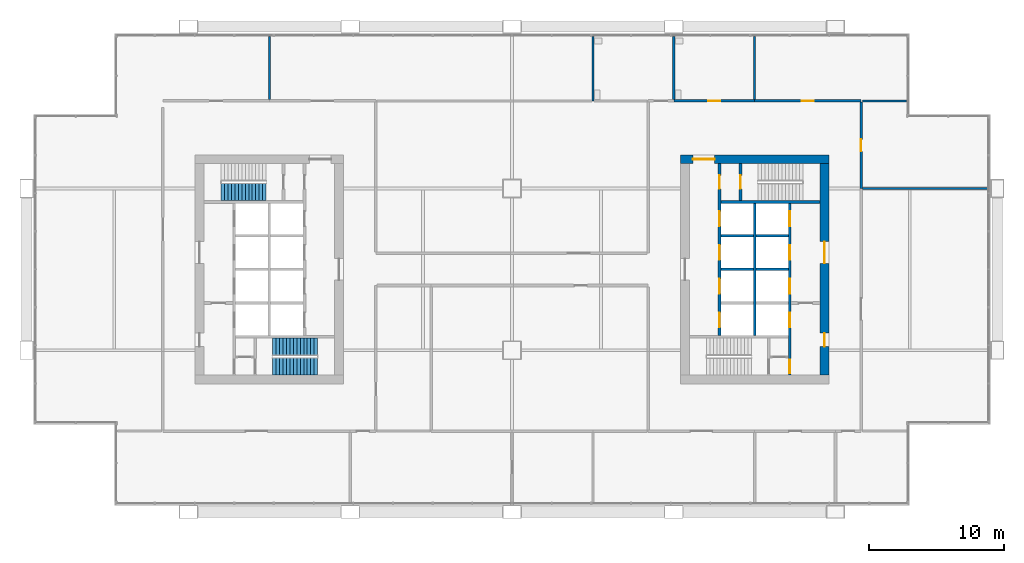
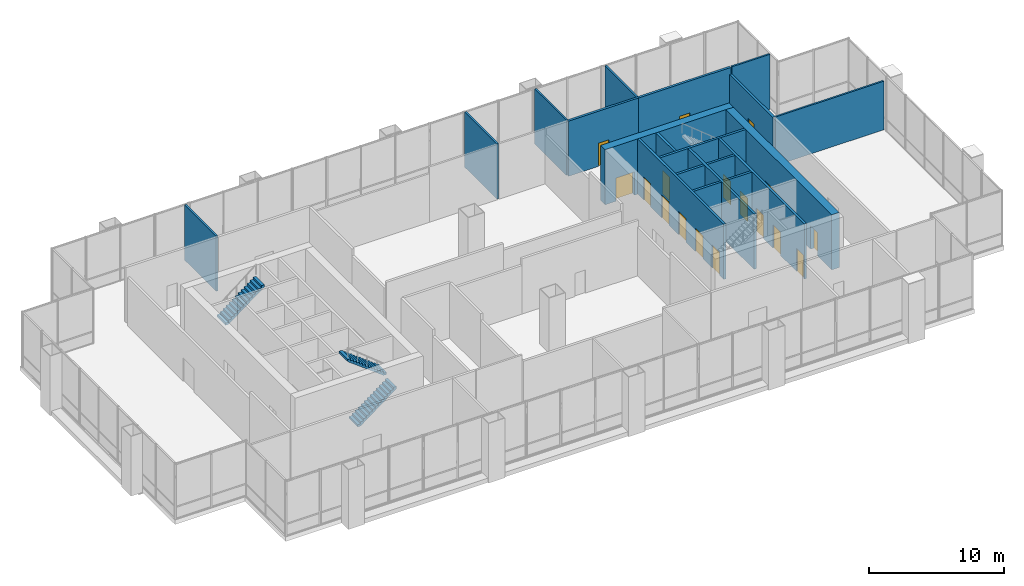
# One storey, part 17 of 20: 20 walls, 17 doors, 3 stair flights, 17 openings, 2 elements without a shape of their own.
"""IFC4 building model written with IfcOpenShell, lengths in metres."""

from ifc_helpers import new_model, si_unit, direction, frame, frame_2d, origin, place, context, subcontext, project, spatial, polyline, rectangle, outline, extrude, material, layer, layer_set, type_object, element, fill, aggregate, save


model = new_model("IFC4")

# Units and contexts
model_context = context("Model", 3, precision=1e-05, world=origin(), true_north=direction((0.0, 1.0)))
body_context = subcontext(model_context, "Body", "Model", "MODEL_VIEW")
ifc_project = project(units=[si_unit("LENGTHUNIT", "METRE"), si_unit("AREAUNIT", "SQUARE_METRE"), si_unit("VOLUMEUNIT", "CUBIC_METRE"), si_unit("PLANEANGLEUNIT", "RADIAN"), si_unit("MASSUNIT", "GRAM", prefix="KILO")], contexts=[model_context])

# Site, building, storey
site_placement = place(None, origin())
site = spatial("IfcSite", under=ifc_project, at=site_placement, CompositionType="ELEMENT")
building_placement = place(site_placement, origin())
building = spatial("IfcBuilding", under=site, at=building_placement, Name="Kitamizu Gate Tower and Museum", CompositionType="ELEMENT")
storey_placement = place(building_placement, frame((0.0, 0.0, 148.35009765625)))
storey = spatial("IfcBuildingStorey", under=building, at=storey_placement, Name="L39", CompositionType="ELEMENT", Elevation=148.35009765625)

# Wall, opening, door
ifc_material_1 = material(Name="Concrete Fc60", Category="concrete")
ifc_layer_1 = layer(ifc_material_1, 0.64990234375)
ifc_layer_set_1 = layer_set([ifc_layer_1], Name="Concrete Fc60")
wall_type_1 = type_object("IfcWallType", Name="Core wall 650", PredefinedType="SHEAR", material=ifc_layer_set_1)
wall_1_placement = place(storey_placement, frame((59.5, 38.175048828125, 0.0), z_axis=(0.0, 0.0, 1.0), x_axis=(-1.0, 0.0, 0.0)))
wall_1 = element("IfcWall", 1, at=wall_1_placement, inside=storey, type_object=wall_type_1, Name="Core wall EN", PredefinedType="SHEAR", context=body_context, shape_type="SweptSolid", body=[
    extrude(rectangle(XDim=11.0, YDim=0.64990234375, at=frame_2d((5.5, 0.0))), origin(), (0.0, 0.0, 1.0), 5.0),
])
opening_1_placement = place(wall_1_placement, frame((8.47509765625, 0.0, 0.0)))
opening_1 = element("IfcOpeningElement", 2, at=opening_1_placement, cuts=wall_1, Name="Opening L39-036", PredefinedType="OPENING", context=body_context, shape_type="SweptSolid", body=[
    extrude(rectangle(XDim=1.60009765625, YDim=2.10009765625, at=frame_2d((0.800048828125, 1.050048828125))), frame((0.0, 0.3349609375, 0.0), z_axis=(0.0, -1.0, 0.0), x_axis=(1.0, 0.0, 0.0)), (0.0, 0.0, 1.0), 0.669921875),
])
ifc_material_2 = material(Name="Timber door set", Category="wood")
door_type_1 = type_object("IfcDoorType", Name="Entrance door 1600", OperationType="DOUBLE_DOOR_SINGLE_SWING", PredefinedType="DOOR", material=ifc_material_2)
door_1_placement = place(opening_1_placement, origin())
door_1 = element("IfcDoor", 3, at=door_1_placement, inside=storey, type_object=door_type_1, Name="Lobby door L39-036", OperationType="DOUBLE_DOOR_SINGLE_SWING", OverallHeight=2.10009765625, OverallWidth=1.60009765625, PredefinedType="DOOR", context=body_context, shape_type="SweptSolid", body=[
    extrude(rectangle(XDim=1.60009765625, YDim=2.10009765625, at=frame_2d((0.800048828125, 1.050048828125))), frame((0.0, 0.02490234375, 0.0), z_axis=(0.0, -1.0, 0.0), x_axis=(1.0, 0.0, 0.0)), (0.0, 0.0, 1.0), 0.050048828125),
])
fill(opening_1, door_1)

# Wall, openings, doors
wall_2_placement = place(storey_placement, frame((59.175048828125, 22.14990234375, 0.0), z_axis=(0.0, 0.0, 1.0), x_axis=(0.0, 1.0, 0.0)))
wall_2 = element("IfcWall", 4, at=wall_2_placement, inside=storey, type_object=wall_type_1, Name="Core wall EOUT", PredefinedType="SHEAR", context=body_context, shape_type="SweptSolid", body=[
    extrude(rectangle(XDim=15.7001953125, YDim=0.64990234375, at=frame_2d((7.85009765625, 0.0))), origin(), (0.0, 0.0, 1.0), 5.0),
])
opening_2_placement = place(wall_2_placement, frame((8.300048828125, 0.0, 0.0)))
opening_2 = element("IfcOpeningElement", 5, at=opening_2_placement, cuts=wall_2, Name="Opening L39-034", PredefinedType="OPENING", context=body_context, shape_type="SweptSolid", body=[
    extrude(rectangle(XDim=1.60009765625, YDim=2.10009765625, at=frame_2d((0.800048828125, 1.050048828125))), frame((0.0, 0.3349609375, 0.0), z_axis=(0.0, -1.0, 0.0), x_axis=(1.0, 0.0, 0.0)), (0.0, 0.0, 1.0), 0.669921875),
])
opening_3_placement = place(wall_2_placement, frame((2.125, 0.0, 0.0)))
opening_3 = element("IfcOpeningElement", 6, at=opening_3_placement, cuts=wall_2, Name="Opening L39-035", PredefinedType="OPENING", context=body_context, shape_type="SweptSolid", body=[
    extrude(rectangle(XDim=1.0, YDim=2.10009765625, at=frame_2d((0.5, 1.050048828125))), frame((0.0, 0.3349609375, 0.0), z_axis=(0.0, -1.0, 0.0), x_axis=(1.0, 0.0, 0.0)), (0.0, 0.0, 1.0), 0.669921875),
])
door_2_placement = place(opening_2_placement, origin())
door_2 = element("IfcDoor", 7, at=door_2_placement, inside=storey, type_object=door_type_1, Name="Lobby door L39-034", OperationType="DOUBLE_DOOR_SINGLE_SWING", OverallHeight=2.10009765625, OverallWidth=1.60009765625, PredefinedType="DOOR", context=body_context, shape_type="SweptSolid", body=[
    extrude(rectangle(XDim=1.60009765625, YDim=2.10009765625, at=frame_2d((0.800048828125, 1.050048828125))), frame((0.0, 0.02490234375, 0.0), z_axis=(0.0, -1.0, 0.0), x_axis=(1.0, 0.0, 0.0)), (0.0, 0.0, 1.0), 0.050048828125),
])
fill(opening_2, door_2)
ifc_material_3 = material(Name="Hollow metal door set")
door_type_2 = type_object("IfcDoorType", Name="Fire door 1000", OperationType="NOTDEFINED", PredefinedType="DOOR", material=ifc_material_3)
door_3_placement = place(opening_3_placement, origin())
door_3 = element("IfcDoor", 8, at=door_3_placement, inside=storey, type_object=door_type_2, Name="Fire-fighting lobby door L39-035", OperationType="SINGLE_SWING_LEFT", OverallHeight=2.10009765625, OverallWidth=1.0, PredefinedType="DOOR", context=body_context, shape_type="SweptSolid", body=[
    extrude(rectangle(XDim=1.0, YDim=2.10009765625, at=frame_2d((0.5, 1.050048828125))), frame((0.0, 0.02490234375, 0.0), z_axis=(0.0, -1.0, 0.0), x_axis=(1.0, 0.0, 0.0)), (0.0, 0.0, 1.0), 0.050048828125),
])
fill(opening_3, door_3)

# Walls
ifc_material_4 = material(Name="Gypsum board on galvanised stud")
ifc_layer_2 = layer(ifc_material_4, 0.14990234375)
ifc_layer_set_2 = layer_set([ifc_layer_2], Name="Gypsum board on galvanised stud")
wall_type_2 = type_object("IfcWallType", Name="Partition 150", PredefinedType="PARTITIONING", material=ifc_layer_set_2)
wall_3_placement = place(storey_placement, frame((18.0, 42.60009765625, 0.0), z_axis=(0.0, 0.0, 1.0), x_axis=(0.0, 1.0, 0.0)))
element("IfcWall", 9, at=wall_3_placement, inside=storey, type_object=wall_type_2, Name="Partition L39-039", PredefinedType="PARTITIONING", context=body_context, shape_type="SweptSolid", body=[
    extrude(rectangle(XDim=4.679931640625, YDim=0.14990234375, at=frame_2d((2.33984375, 0.0))), origin(), (0.0, 0.0, 1.0), 5.0),
])
wall_4_placement = place(storey_placement, frame((42.0, 42.5, 0.0), z_axis=(0.0, 0.0, 1.0), x_axis=(0.0, 1.0, 0.0)))
element("IfcWall", 10, at=wall_4_placement, inside=storey, type_object=wall_type_2, Name="Partition L39-040", PredefinedType="PARTITIONING", context=body_context, shape_type="SweptSolid", body=[
    extrude(rectangle(XDim=4.780029296875, YDim=0.14990234375, at=frame_2d((2.39013671875, 0.0))), origin(), (0.0, 0.0, 1.0), 5.0),
])
for number, where, z_axis, x_axis, name in (
    (11, (48.0, 42.60009765625, 0.0), (0.0, 0.0, 1.0), (0.0, 1.0, 0.0), "Partition L39-043"),
    (12, (54.0, 42.60009765625, 0.0), (0.0, 0.0, 1.0), (0.0, 1.0, 0.0), "Partition L39-045"),
):
    element("IfcWall", number, at=place(storey_placement, frame(where, z_axis=z_axis, x_axis=x_axis)), inside=storey, type_object=wall_type_2, Name=name, PredefinedType="PARTITIONING", context=body_context, shape_type="SweptSolid", body=[
        extrude(rectangle(XDim=4.679931640625, YDim=0.14990234375, at=frame_2d((2.33984375, 0.0))), origin(), (0.0, 0.0, 1.0), 5.0),
    ])
wall_5_placement = place(storey_placement, frame((62.0, 42.5, 0.0), z_axis=(0.0, 0.0, 1.0), x_axis=(1.0, 0.0, 0.0)))
element("IfcWall", 13, at=wall_5_placement, inside=storey, type_object=wall_type_2, Name="Partition L39-046", PredefinedType="PARTITIONING", context=body_context, shape_type="SweptSolid", body=[
    extrude(rectangle(XDim=3.280029296875, YDim=0.14990234375, at=frame_2d((1.64013671875, 0.0))), origin(), (0.0, 0.0, 1.0), 5.0),
])
wall_6_placement = place(storey_placement, frame((71.280029296875, 36.0, 0.0), z_axis=(0.0, 0.0, 1.0), x_axis=(-1.0, 0.0, 0.0)))
element("IfcWall", 14, at=wall_6_placement, inside=storey, type_object=wall_type_2, Name="Partition L39-047", PredefinedType="PARTITIONING", context=body_context, shape_type="SweptSolid", body=[
    extrude(rectangle(XDim=9.280029296875, YDim=0.14990234375, at=frame_2d((4.64013671875, 0.0))), origin(), (0.0, 0.0, 1.0), 4.39990234375),
])

# Wall, opening, door
ifc_material_5 = material(Name="Gypsum board on galvanised stud")
ifc_layer_3 = layer(ifc_material_5, 0.199951171875)
ifc_layer_set_3 = layer_set([ifc_layer_3], Name="Gypsum board on galvanised stud")
wall_type_3 = type_object("IfcWallType", Name="Partition 200", PredefinedType="PARTITIONING", material=ifc_layer_set_3)
wall_7_placement = place(storey_placement, frame((54.0, 42.5, 0.0), z_axis=(0.0, 0.0, 1.0), x_axis=(-1.0, 0.0, 0.0)))
wall_7 = element("IfcWall", 15, at=wall_7_placement, inside=storey, type_object=wall_type_3, Name="Partition L39-009", PredefinedType="PARTITIONING", context=body_context, shape_type="SweptSolid", body=[
    extrude(rectangle(XDim=6.0, YDim=0.199951171875, at=frame_2d((3.0, 0.0))), origin(), (0.0, 0.0, 1.0), 5.0),
])
opening_4_placement = place(wall_7_placement, frame((2.550048828125, 0.0, 0.0)))
opening_4 = element("IfcOpeningElement", 16, at=opening_4_placement, cuts=wall_7, Name="Opening L39-010", PredefinedType="OPENING", context=body_context, shape_type="SweptSolid", body=[
    extrude(rectangle(XDim=0.89990234375, YDim=2.10009765625, at=frame_2d((0.449951171875, 1.050048828125))), frame((0.0, 0.10986328125, 0.0), z_axis=(0.0, -1.0, 0.0), x_axis=(1.0, 0.0, 0.0)), (0.0, 0.0, 1.0), 0.219970703125),
])
ifc_material_6 = material(Name="Timber door set", Category="wood")
door_type_3 = type_object("IfcDoorType", Name="Store door 900", OperationType="NOTDEFINED", PredefinedType="DOOR", material=ifc_material_6)
door_4_placement = place(opening_4_placement, frame((0.89990234375, 0.0, 0.0), x_axis=(-1.0, 0.0, 0.0)))
door_4 = element("IfcDoor", 17, at=door_4_placement, inside=storey, type_object=door_type_3, Name="Store door L39-010", OperationType="SINGLE_SWING_RIGHT", OverallHeight=2.10009765625, OverallWidth=0.89990234375, PredefinedType="DOOR", context=body_context, shape_type="SweptSolid", body=[
    extrude(rectangle(XDim=0.89990234375, YDim=2.10009765625, at=frame_2d((0.449951171875, 1.050048828125))), frame((0.0, 0.02490234375, 0.0), z_axis=(0.0, -1.0, 0.0), x_axis=(1.0, 0.0, 0.0)), (0.0, 0.0, 1.0), 0.050048828125),
])
fill(opening_4, door_4)

wall_8_placement = place(storey_placement, frame((61.89990234375, 42.5, 0.0), z_axis=(0.0, 0.0, 1.0), x_axis=(-1.0, 0.0, 0.0)))
wall_8 = element("IfcWall", 18, at=wall_8_placement, inside=storey, type_object=wall_type_3, Name="Partition L39-010", PredefinedType="PARTITIONING", context=body_context, shape_type="SweptSolid", body=[
    extrude(rectangle(XDim=7.89990234375, YDim=0.199951171875, at=frame_2d((3.949951171875, 0.0))), origin(), (0.0, 0.0, 1.0), 5.0),
])
opening_5_placement = place(wall_8_placement, frame((3.5, 0.0, 0.0)))
opening_5 = element("IfcOpeningElement", 19, at=opening_5_placement, cuts=wall_8, Name="Opening L39-011", PredefinedType="OPENING", context=body_context, shape_type="SweptSolid", body=[
    extrude(rectangle(XDim=0.89990234375, YDim=2.10009765625, at=frame_2d((0.449951171875, 1.050048828125))), frame((0.0, 0.10986328125, 0.0), z_axis=(0.0, -1.0, 0.0), x_axis=(1.0, 0.0, 0.0)), (0.0, 0.0, 1.0), 0.219970703125),
])
ifc_material_7 = material(Name="Timber door set", Category="wood")
door_type_4 = type_object("IfcDoorType", Name="Room door 900", OperationType="NOTDEFINED", PredefinedType="DOOR", material=ifc_material_7)
door_5_placement = place(opening_5_placement, frame((0.89990234375, 0.0, 0.0), x_axis=(-1.0, 0.0, 0.0)))
door_5 = element("IfcDoor", 20, at=door_5_placement, inside=storey, type_object=door_type_4, Name="Door L39-011", OperationType="SINGLE_SWING_LEFT", OverallHeight=2.10009765625, OverallWidth=0.89990234375, PredefinedType="DOOR", context=body_context, shape_type="SweptSolid", body=[
    extrude(rectangle(XDim=0.89990234375, YDim=2.10009765625, at=frame_2d((0.449951171875, 1.050048828125))), frame((0.0, 0.02490234375, 0.0), z_axis=(0.0, -1.0, 0.0), x_axis=(1.0, 0.0, 0.0)), (0.0, 0.0, 1.0), 0.050048828125),
])
fill(opening_5, door_5)

wall_9_placement = place(storey_placement, frame((61.89990234375, 36.0, 0.0), z_axis=(0.0, 0.0, 1.0), x_axis=(0.0, 1.0, 0.0)))
wall_9 = element("IfcWall", 21, at=wall_9_placement, inside=storey, type_object=wall_type_3, Name="Partition L39-014", PredefinedType="PARTITIONING", context=body_context, shape_type="SweptSolid", body=[
    extrude(rectangle(XDim=6.39990234375, YDim=0.199951171875, at=frame_2d((3.199951171875, 0.0))), origin(), (0.0, 0.0, 1.0), 4.39990234375),
])
opening_6_placement = place(wall_9_placement, frame((2.75, 0.0, 0.0)))
opening_6 = element("IfcOpeningElement", 22, at=opening_6_placement, cuts=wall_9, Name="Opening L39-014", PredefinedType="OPENING", context=body_context, shape_type="SweptSolid", body=[
    extrude(rectangle(XDim=0.89990234375, YDim=2.10009765625, at=frame_2d((0.449951171875, 1.050048828125))), frame((0.0, 0.10986328125, 0.0), z_axis=(0.0, -1.0, 0.0), x_axis=(1.0, 0.0, 0.0)), (0.0, 0.0, 1.0), 0.219970703125),
])
door_6_placement = place(opening_6_placement, frame((0.89990234375, 0.0, 0.0), x_axis=(-1.0, 0.0, 0.0)))
door_6 = element("IfcDoor", 23, at=door_6_placement, inside=storey, type_object=door_type_4, Name="Door L39-014", OperationType="SINGLE_SWING_RIGHT", OverallHeight=2.10009765625, OverallWidth=0.89990234375, PredefinedType="DOOR", context=body_context, shape_type="SweptSolid", body=[
    extrude(rectangle(XDim=0.89990234375, YDim=2.10009765625, at=frame_2d((0.449951171875, 1.050048828125))), frame((0.0, 0.02490234375, 0.0), z_axis=(0.0, -1.0, 0.0), x_axis=(1.0, 0.0, 0.0)), (0.0, 0.0, 1.0), 0.050048828125),
])
fill(opening_6, door_6)

# Wall, openings, doors
ifc_material_8 = material(Name="Concrete Fc42", Category="concrete")
ifc_layer_4 = layer(ifc_material_8, 0.199951171875)
ifc_layer_set_4 = layer_set([ifc_layer_4], Name="Concrete Fc42")
wall_type_4 = type_object("IfcWallType", Name="Shaft wall 200", PredefinedType="SOLIDWALL", material=ifc_layer_set_4)
wall_10_placement = place(storey_placement, frame((56.60009765625, 22.14990234375, 0.0), z_axis=(0.0, 0.0, 1.0), x_axis=(0.0, 1.0, 0.0)))
wall_10 = element("IfcWall", 24, at=wall_10_placement, inside=storey, type_object=wall_type_4, Name="Shaft wall EWEST", PredefinedType="SOLIDWALL", context=body_context, shape_type="SweptSolid", body=[
    extrude(rectangle(XDim=12.75, YDim=0.199951171875, at=frame_2d((6.375, 0.0))), origin(), (0.0, 0.0, 1.0), 5.0),
])
opening_7_placement = place(wall_10_placement, frame((3.550048828125, 0.0, 0.0)))
opening_7 = element("IfcOpeningElement", 25, at=opening_7_placement, cuts=wall_10, Name="Opening LD", PredefinedType="OPENING", context=body_context, shape_type="SweptSolid", body=[
    extrude(rectangle(XDim=1.10009765625, YDim=2.10009765625, at=frame_2d((0.550048828125, 1.050048828125))), frame((0.0, 0.10986328125, 0.0), z_axis=(0.0, -1.0, 0.0), x_axis=(1.0, 0.0, 0.0)), (0.0, 0.0, 1.0), 0.219970703125),
])
opening_8_placement = place(wall_10_placement, frame((6.050048828125, 0.0, 0.0)))
opening_8 = element("IfcOpeningElement", 26, at=opening_8_placement, cuts=wall_10, Name="Opening LD", PredefinedType="OPENING", context=body_context, shape_type="SweptSolid", body=[
    extrude(rectangle(XDim=1.10009765625, YDim=2.10009765625, at=frame_2d((0.550048828125, 1.050048828125))), frame((0.0, 0.10986328125, 0.0), z_axis=(0.0, -1.0, 0.0), x_axis=(1.0, 0.0, 0.0)), (0.0, 0.0, 1.0), 0.219970703125),
])
opening_9_placement = place(wall_10_placement, frame((8.550048828125, 0.0, 0.0)))
opening_9 = element("IfcOpeningElement", 27, at=opening_9_placement, cuts=wall_10, Name="Opening LD", PredefinedType="OPENING", context=body_context, shape_type="SweptSolid", body=[
    extrude(rectangle(XDim=1.10009765625, YDim=2.10009765625, at=frame_2d((0.550048828125, 1.050048828125))), frame((0.0, 0.10986328125, 0.0), z_axis=(0.0, -1.0, 0.0), x_axis=(1.0, 0.0, 0.0)), (0.0, 0.0, 1.0), 0.219970703125),
])
opening_10_placement = place(wall_10_placement, frame((11.050048828125, 0.0, 0.0)))
opening_10 = element("IfcOpeningElement", 28, at=opening_10_placement, cuts=wall_10, Name="Opening LD", PredefinedType="OPENING", context=body_context, shape_type="SweptSolid", body=[
    extrude(rectangle(XDim=1.10009765625, YDim=2.10009765625, at=frame_2d((0.550048828125, 1.050048828125))), frame((0.0, 0.10986328125, 0.0), z_axis=(0.0, -1.0, 0.0), x_axis=(1.0, 0.0, 0.0)), (0.0, 0.0, 1.0), 0.219970703125),
])
opening_11_placement = place(wall_10_placement, frame((0.14990234375, 0.0, 0.0)))
opening_11 = element("IfcOpeningElement", 29, at=opening_11_placement, cuts=wall_10, Name="Opening L39-029", PredefinedType="OPENING", context=body_context, shape_type="SweptSolid", body=[
    extrude(rectangle(XDim=1.0, YDim=2.10009765625, at=frame_2d((0.5, 1.050048828125))), frame((0.0, 0.10986328125, 0.0), z_axis=(0.0, -1.0, 0.0), x_axis=(1.0, 0.0, 0.0)), (0.0, 0.0, 1.0), 0.219970703125),
])
door_7_placement = place(opening_11_placement, origin())
door_7 = element("IfcDoor", 30, at=door_7_placement, inside=storey, type_object=door_type_2, Name="Stair lobby door L39-029", OperationType="SINGLE_SWING_RIGHT", OverallHeight=2.10009765625, OverallWidth=1.0, PredefinedType="DOOR", context=body_context, shape_type="SweptSolid", body=[
    extrude(rectangle(XDim=1.0, YDim=2.10009765625, at=frame_2d((0.5, 1.050048828125))), frame((0.0, 0.02490234375, 0.0), z_axis=(0.0, -1.0, 0.0), x_axis=(1.0, 0.0, 0.0)), (0.0, 0.0, 1.0), 0.050048828125),
])
fill(opening_11, door_7)
ifc_material_9 = material(Name="Hollow metal door set")
door_type_5 = type_object("IfcDoorType", Name="Landing door 1100", OperationType="SLIDING_TO_LEFT", PredefinedType="DOOR", material=ifc_material_9)
door_8_placement = place(opening_7_placement, origin())
door_8 = element("IfcDoor", 31, at=door_8_placement, inside=storey, type_object=door_type_5, Name="Landing door EFF1", OperationType="SLIDING_TO_LEFT", OverallHeight=2.10009765625, OverallWidth=1.10009765625, PredefinedType="DOOR", context=body_context, shape_type="SweptSolid", body=[
    extrude(rectangle(XDim=1.10009765625, YDim=2.10009765625, at=frame_2d((0.550048828125, 1.050048828125))), frame((0.0, 0.02490234375, 0.0), z_axis=(0.0, -1.0, 0.0), x_axis=(1.0, 0.0, 0.0)), (0.0, 0.0, 1.0), 0.050048828125),
])
fill(opening_7, door_8)
door_9_placement = place(opening_8_placement, origin())
door_9 = element("IfcDoor", 32, at=door_9_placement, inside=storey, type_object=door_type_5, Name="Landing door EL1", OperationType="SLIDING_TO_LEFT", OverallHeight=2.10009765625, OverallWidth=1.10009765625, PredefinedType="DOOR", context=body_context, shape_type="SweptSolid", body=[
    extrude(rectangle(XDim=1.10009765625, YDim=2.10009765625, at=frame_2d((0.550048828125, 1.050048828125))), frame((0.0, 0.02490234375, 0.0), z_axis=(0.0, -1.0, 0.0), x_axis=(1.0, 0.0, 0.0)), (0.0, 0.0, 1.0), 0.050048828125),
])
fill(opening_8, door_9)
door_10_placement = place(opening_9_placement, origin())
door_10 = element("IfcDoor", 33, at=door_10_placement, inside=storey, type_object=door_type_5, Name="Landing door EL2", OperationType="SLIDING_TO_LEFT", OverallHeight=2.10009765625, OverallWidth=1.10009765625, PredefinedType="DOOR", context=body_context, shape_type="SweptSolid", body=[
    extrude(rectangle(XDim=1.10009765625, YDim=2.10009765625, at=frame_2d((0.550048828125, 1.050048828125))), frame((0.0, 0.02490234375, 0.0), z_axis=(0.0, -1.0, 0.0), x_axis=(1.0, 0.0, 0.0)), (0.0, 0.0, 1.0), 0.050048828125),
])
fill(opening_9, door_10)
door_11_placement = place(opening_10_placement, origin())
door_11 = element("IfcDoor", 34, at=door_11_placement, inside=storey, type_object=door_type_5, Name="Landing door EL3", OperationType="SLIDING_TO_LEFT", OverallHeight=2.10009765625, OverallWidth=1.10009765625, PredefinedType="DOOR", context=body_context, shape_type="SweptSolid", body=[
    extrude(rectangle(XDim=1.10009765625, YDim=2.10009765625, at=frame_2d((0.550048828125, 1.050048828125))), frame((0.0, 0.02490234375, 0.0), z_axis=(0.0, -1.0, 0.0), x_axis=(1.0, 0.0, 0.0)), (0.0, 0.0, 1.0), 0.050048828125),
])
fill(opening_10, door_11)

wall_11_placement = place(storey_placement, frame((51.39990234375, 25.10009765625, 0.0), z_axis=(0.0, 0.0, 1.0), x_axis=(0.0, 1.0, 0.0)))
wall_11 = element("IfcWall", 35, at=wall_11_placement, inside=storey, type_object=wall_type_4, Name="Shaft wall EEAST", PredefinedType="SOLIDWALL", context=body_context, shape_type="SweptSolid", body=[
    extrude(rectangle(XDim=12.75, YDim=0.199951171875, at=frame_2d((6.375, 0.0))), origin(), (0.0, 0.0, 1.0), 5.0),
])
opening_12_placement = place(wall_11_placement, frame((0.60009765625, 0.0, 0.0)))
opening_12 = element("IfcOpeningElement", 36, at=opening_12_placement, cuts=wall_11, Name="Opening LD", PredefinedType="OPENING", context=body_context, shape_type="SweptSolid", body=[
    extrude(rectangle(XDim=1.10009765625, YDim=2.10009765625, at=frame_2d((0.550048828125, 1.050048828125))), frame((0.0, 0.10986328125, 0.0), z_axis=(0.0, -1.0, 0.0), x_axis=(1.0, 0.0, 0.0)), (0.0, 0.0, 1.0), 0.219970703125),
])
opening_13_placement = place(wall_11_placement, frame((3.10009765625, 0.0, 0.0)))
opening_13 = element("IfcOpeningElement", 37, at=opening_13_placement, cuts=wall_11, Name="Opening LD", PredefinedType="OPENING", context=body_context, shape_type="SweptSolid", body=[
    extrude(rectangle(XDim=1.10009765625, YDim=2.10009765625, at=frame_2d((0.550048828125, 1.050048828125))), frame((0.0, 0.10986328125, 0.0), z_axis=(0.0, -1.0, 0.0), x_axis=(1.0, 0.0, 0.0)), (0.0, 0.0, 1.0), 0.219970703125),
])
opening_14_placement = place(wall_11_placement, frame((5.60009765625, 0.0, 0.0)))
opening_14 = element("IfcOpeningElement", 38, at=opening_14_placement, cuts=wall_11, Name="Opening LD", PredefinedType="OPENING", context=body_context, shape_type="SweptSolid", body=[
    extrude(rectangle(XDim=1.10009765625, YDim=2.10009765625, at=frame_2d((0.550048828125, 1.050048828125))), frame((0.0, 0.10986328125, 0.0), z_axis=(0.0, -1.0, 0.0), x_axis=(1.0, 0.0, 0.0)), (0.0, 0.0, 1.0), 0.219970703125),
])
opening_15_placement = place(wall_11_placement, frame((8.10009765625, 0.0, 0.0)))
opening_15 = element("IfcOpeningElement", 39, at=opening_15_placement, cuts=wall_11, Name="Opening LD", PredefinedType="OPENING", context=body_context, shape_type="SweptSolid", body=[
    extrude(rectangle(XDim=1.10009765625, YDim=2.10009765625, at=frame_2d((0.550048828125, 1.050048828125))), frame((0.0, 0.10986328125, 0.0), z_axis=(0.0, -1.0, 0.0), x_axis=(1.0, 0.0, 0.0)), (0.0, 0.0, 1.0), 0.219970703125),
])
opening_16_placement = place(wall_11_placement, frame((10.875, 0.0, 0.0)))
opening_16 = element("IfcOpeningElement", 40, at=opening_16_placement, cuts=wall_11, Name="Opening L39-030", PredefinedType="OPENING", context=body_context, shape_type="SweptSolid", body=[
    extrude(rectangle(XDim=1.0, YDim=2.10009765625, at=frame_2d((0.5, 1.050048828125))), frame((0.0, 0.10986328125, 0.0), z_axis=(0.0, -1.0, 0.0), x_axis=(1.0, 0.0, 0.0)), (0.0, 0.0, 1.0), 0.219970703125),
])
door_12_placement = place(opening_16_placement, frame((1.0, 0.0, 0.0), x_axis=(-1.0, 0.0, 0.0)))
door_12 = element("IfcDoor", 41, at=door_12_placement, inside=storey, type_object=door_type_2, Name="Stair lobby door L39-030", OperationType="SINGLE_SWING_RIGHT", OverallHeight=2.10009765625, OverallWidth=1.0, PredefinedType="DOOR", context=body_context, shape_type="SweptSolid", body=[
    extrude(rectangle(XDim=1.0, YDim=2.10009765625, at=frame_2d((0.5, 1.050048828125))), frame((0.0, 0.02490234375, 0.0), z_axis=(0.0, -1.0, 0.0), x_axis=(1.0, 0.0, 0.0)), (0.0, 0.0, 1.0), 0.050048828125),
])
fill(opening_16, door_12)
door_13_placement = place(opening_12_placement, origin())
door_13 = element("IfcDoor", 42, at=door_13_placement, inside=storey, type_object=door_type_5, Name="Landing door ESV1", OperationType="SLIDING_TO_LEFT", OverallHeight=2.10009765625, OverallWidth=1.10009765625, PredefinedType="DOOR", context=body_context, shape_type="SweptSolid", body=[
    extrude(rectangle(XDim=1.10009765625, YDim=2.10009765625, at=frame_2d((0.550048828125, 1.050048828125))), frame((0.0, 0.02490234375, 0.0), z_axis=(0.0, -1.0, 0.0), x_axis=(1.0, 0.0, 0.0)), (0.0, 0.0, 1.0), 0.050048828125),
])
fill(opening_12, door_13)
door_14_placement = place(opening_13_placement, origin())
door_14 = element("IfcDoor", 43, at=door_14_placement, inside=storey, type_object=door_type_5, Name="Landing door EH1", OperationType="SLIDING_TO_LEFT", OverallHeight=2.10009765625, OverallWidth=1.10009765625, PredefinedType="DOOR", context=body_context, shape_type="SweptSolid", body=[
    extrude(rectangle(XDim=1.10009765625, YDim=2.10009765625, at=frame_2d((0.550048828125, 1.050048828125))), frame((0.0, 0.02490234375, 0.0), z_axis=(0.0, -1.0, 0.0), x_axis=(1.0, 0.0, 0.0)), (0.0, 0.0, 1.0), 0.050048828125),
])
fill(opening_13, door_14)
door_15_placement = place(opening_14_placement, origin())
door_15 = element("IfcDoor", 44, at=door_15_placement, inside=storey, type_object=door_type_5, Name="Landing door EH2", OperationType="SLIDING_TO_LEFT", OverallHeight=2.10009765625, OverallWidth=1.10009765625, PredefinedType="DOOR", context=body_context, shape_type="SweptSolid", body=[
    extrude(rectangle(XDim=1.10009765625, YDim=2.10009765625, at=frame_2d((0.550048828125, 1.050048828125))), frame((0.0, 0.02490234375, 0.0), z_axis=(0.0, -1.0, 0.0), x_axis=(1.0, 0.0, 0.0)), (0.0, 0.0, 1.0), 0.050048828125),
])
fill(opening_14, door_15)
door_16_placement = place(opening_15_placement, origin())
door_16 = element("IfcDoor", 45, at=door_16_placement, inside=storey, type_object=door_type_5, Name="Landing door EH3", OperationType="SLIDING_TO_LEFT", OverallHeight=2.10009765625, OverallWidth=1.10009765625, PredefinedType="DOOR", context=body_context, shape_type="SweptSolid", body=[
    extrude(rectangle(XDim=1.10009765625, YDim=2.10009765625, at=frame_2d((0.550048828125, 1.050048828125))), frame((0.0, 0.02490234375, 0.0), z_axis=(0.0, -1.0, 0.0), x_axis=(1.0, 0.0, 0.0)), (0.0, 0.0, 1.0), 0.050048828125),
])
fill(opening_15, door_16)

# Walls
wall_12_placement = place(storey_placement, frame((54.0, 25.10009765625, 0.0), z_axis=(0.0, 0.0, 1.0), x_axis=(0.0, 1.0, 0.0)))
element("IfcWall", 46, at=wall_12_placement, inside=storey, type_object=wall_type_4, Name="Shaft wall EMID", PredefinedType="SOLIDWALL", context=body_context, shape_type="SweptSolid", body=[
    extrude(rectangle(XDim=9.7998046875, YDim=0.199951171875, at=frame_2d((4.89990234375, 0.0))), origin(), (0.0, 0.0, 1.0), 5.0),
])
wall_13_placement = place(storey_placement, frame((58.85009765625, 35.0, 0.0), z_axis=(0.0, 0.0, 1.0), x_axis=(-1.0, 0.0, 0.0)))
element("IfcWall", 47, at=wall_13_placement, inside=storey, type_object=wall_type_4, Name="Shaft wall ENB", PredefinedType="SOLIDWALL", context=body_context, shape_type="SweptSolid", body=[
    extrude(rectangle(XDim=7.35009765625, YDim=0.199951171875, at=frame_2d((3.675048828125, 0.0))), origin(), (0.0, 0.0, 1.0), 5.0),
])

# Wall, opening, door
wall_14_placement = place(storey_placement, frame((52.949951171875, 35.10009765625, 0.0), z_axis=(0.0, 0.0, 1.0), x_axis=(0.0, 1.0, 0.0)))
wall_14 = element("IfcWall", 48, at=wall_14_placement, inside=storey, type_object=wall_type_4, Name="Shaft wall ENZ", PredefinedType="SOLIDWALL", context=body_context, shape_type="SweptSolid", body=[
    extrude(rectangle(XDim=2.75, YDim=0.199951171875, at=frame_2d((1.375, 0.0))), origin(), (0.0, 0.0, 1.0), 5.0),
])
opening_17_placement = place(wall_14_placement, frame((0.875, 0.0, 0.0)))
opening_17 = element("IfcOpeningElement", 49, at=opening_17_placement, cuts=wall_14, Name="Opening L39-031", PredefinedType="OPENING", context=body_context, shape_type="SweptSolid", body=[
    extrude(rectangle(XDim=1.0, YDim=2.10009765625, at=frame_2d((0.5, 1.050048828125))), frame((0.0, 0.10986328125, 0.0), z_axis=(0.0, -1.0, 0.0), x_axis=(1.0, 0.0, 0.0)), (0.0, 0.0, 1.0), 0.219970703125),
])
door_17_placement = place(opening_17_placement, frame((1.0, 0.0, 0.0), x_axis=(-1.0, 0.0, 0.0)))
door_17 = element("IfcDoor", 50, at=door_17_placement, inside=storey, type_object=door_type_2, Name="Stair door L39-031", OperationType="SINGLE_SWING_LEFT", OverallHeight=2.10009765625, OverallWidth=1.0, PredefinedType="DOOR", context=body_context, shape_type="SweptSolid", body=[
    extrude(rectangle(XDim=1.0, YDim=2.10009765625, at=frame_2d((0.5, 1.050048828125))), frame((0.0, 0.02490234375, 0.0), z_axis=(0.0, -1.0, 0.0), x_axis=(1.0, 0.0, 0.0)), (0.0, 0.0, 1.0), 0.050048828125),
])
fill(opening_17, door_17)

# Walls
for number, where, z_axis, x_axis, name in (
    (51, (56.5, 30.0, 0.0), (0.0, 0.0, 1.0), (-1.0, 0.0, 0.0), "Shaft wall EDVW1"),
    (52, (56.5, 32.5, 0.0), (0.0, 0.0, 1.0), (-1.0, 0.0, 0.0), "Shaft wall EDVW2"),
    (53, (53.89990234375, 30.0, 0.0), (0.0, 0.0, 1.0), (-1.0, 0.0, 0.0), "Shaft wall EDVE1"),
    (54, (53.89990234375, 32.5, 0.0), (0.0, 0.0, 1.0), (-1.0, 0.0, 0.0), "Shaft wall EDVE2"),
):
    element("IfcWall", number, at=place(storey_placement, frame(where, z_axis=z_axis, x_axis=x_axis)), inside=storey, type_object=wall_type_4, Name=name, PredefinedType="SOLIDWALL", context=body_context, shape_type="SweptSolid", body=[
        extrude(rectangle(XDim=2.39990234375, YDim=0.199951171875, at=frame_2d((1.199951171875, 0.0))), origin(), (0.0, 0.0, 1.0), 5.0),
    ])

# Stair, stair flights
ifc_material_10 = material(Name="Concrete Fc42", Category="concrete")
stair_type = type_object("IfcStairType", Name="Exit stair 1275 wide 193 rise 256 going", PredefinedType="HALF_TURN_STAIR", material=ifc_material_10)
stair_1_placement = place(storey_placement, origin())
stair_1 = element("IfcStair", 55, at=stair_1_placement, inside=storey, type_object=stair_type, Name="Exit stair ST1", PredefinedType="HALF_TURN_STAIR")
ifc_material_11 = material(Name="Concrete Fc42", Category="concrete")
stair_flight_type = type_object("IfcStairFlightType", Name="Stair flight 1275 wide 193 rise 256 going", PredefinedType="STRAIGHT", material=ifc_material_11)
stair_flight_1_placement = place(storey_placement, frame((18.25, 22.78759765625, 0.0), z_axis=(0.0, 0.0, 1.0), x_axis=(1.0, 0.0, 0.0)))
stair_flight_1 = element("IfcStairFlight", 56, at=stair_flight_1_placement, type_object=stair_flight_type, Name="ST1 flight 1", NumberOfRisers=14, NumberOfTreads=13, PredefinedType="STRAIGHT", RiserHeight=0.192857143, TreadLength=0.255769231, context=body_context, shape_type="SweptSolid", body=[
    extrude(outline(polyline([(0.0, 0.0), (0.0, 0.19287109375), (0.255859375, 0.19287109375), (0.255859375, 0.3857421875), (0.511474609375, 0.3857421875), (0.511474609375, 0.57861328125), (0.767333984375, 0.57861328125), (0.767333984375, 0.771484375), (1.023193359375, 0.771484375), (1.023193359375, 0.96435546875), (1.27880859375, 0.96435546875), (1.27880859375, 1.1572265625), (1.53466796875, 1.1572265625), (1.53466796875, 1.35009765625), (1.790283203125, 1.35009765625), (1.790283203125, 1.54296875), (2.046142578125, 1.54296875), (2.046142578125, 1.735595703125), (2.302001953125, 1.735595703125), (2.302001953125, 1.928466796875), (2.5576171875, 1.928466796875), (2.5576171875, 2.121337890625), (2.8134765625, 2.121337890625), (2.8134765625, 2.314208984375), (3.0693359375, 2.314208984375), (3.0693359375, 2.507080078125), (3.324951171875, 2.507080078125), (3.324951171875, 2.699951171875), (3.324951171875, 2.3193359375), (0.2490234375, 0.0), (0.0, 0.0)])), frame((0.0, 0.637451171875, 0.0), z_axis=(0.0, -1.0, 0.0), x_axis=(1.0, 0.0, 0.0)), (0.0, 0.0, 1.0), 1.27490234375),
])
stair_flight_2_placement = place(storey_placement, frame((21.574951171875, 24.262451171875, 2.699951171875), z_axis=(0.0, 0.0, 1.0), x_axis=(-1.0, 0.0, 0.0)))
stair_flight_2 = element("IfcStairFlight", 57, at=stair_flight_2_placement, type_object=stair_flight_type, Name="ST1 flight 2", NumberOfRisers=14, NumberOfTreads=13, PredefinedType="STRAIGHT", RiserHeight=0.192857143, TreadLength=0.255769231, context=body_context, shape_type="SweptSolid", body=[
    extrude(outline(polyline([(0.0, 0.0), (0.0, 0.19287109375), (0.255859375, 0.19287109375), (0.255859375, 0.3857421875), (0.511474609375, 0.3857421875), (0.511474609375, 0.57861328125), (0.767333984375, 0.57861328125), (0.767333984375, 0.771484375), (1.023193359375, 0.771484375), (1.023193359375, 0.96435546875), (1.27880859375, 0.96435546875), (1.27880859375, 1.1572265625), (1.53466796875, 1.1572265625), (1.53466796875, 1.35009765625), (1.790283203125, 1.35009765625), (1.790283203125, 1.54296875), (2.046142578125, 1.54296875), (2.046142578125, 1.735595703125), (2.302001953125, 1.735595703125), (2.302001953125, 1.928466796875), (2.5576171875, 1.928466796875), (2.5576171875, 2.121337890625), (2.8134765625, 2.121337890625), (2.8134765625, 2.314208984375), (3.0693359375, 2.314208984375), (3.0693359375, 2.507080078125), (3.324951171875, 2.507080078125), (3.324951171875, 2.699951171875), (3.324951171875, 2.3193359375), (0.2490234375, 0.0), (0.0, 0.0)])), frame((0.0, 0.637451171875, 0.0), z_axis=(0.0, -1.0, 0.0), x_axis=(1.0, 0.0, 0.0)), (0.0, 0.0, 1.0), 1.27490234375),
])
aggregate(stair_1, [stair_flight_1, stair_flight_2])

# Stair, stair flight
stair_2_placement = place(storey_placement, origin())
stair_2 = element("IfcStair", 58, at=stair_2_placement, inside=storey, type_object=stair_type, Name="Exit stair ST2", PredefinedType="HALF_TURN_STAIR")
stair_flight_3_placement = place(storey_placement, frame((14.425048828125, 35.737548828125, 2.699951171875), z_axis=(0.0, 0.0, 1.0), x_axis=(1.0, 0.0, 0.0)))
stair_flight_3 = element("IfcStairFlight", 59, at=stair_flight_3_placement, type_object=stair_flight_type, Name="ST2 flight 2", NumberOfRisers=14, NumberOfTreads=13, PredefinedType="STRAIGHT", RiserHeight=0.192857143, TreadLength=0.255769231, context=body_context, shape_type="SweptSolid", body=[
    extrude(outline(polyline([(0.0, 0.0), (0.0, 0.19287109375), (0.255859375, 0.19287109375), (0.255859375, 0.3857421875), (0.511474609375, 0.3857421875), (0.511474609375, 0.57861328125), (0.767333984375, 0.57861328125), (0.767333984375, 0.771484375), (1.023193359375, 0.771484375), (1.023193359375, 0.96435546875), (1.27880859375, 0.96435546875), (1.27880859375, 1.1572265625), (1.53466796875, 1.1572265625), (1.53466796875, 1.35009765625), (1.790283203125, 1.35009765625), (1.790283203125, 1.54296875), (2.046142578125, 1.54296875), (2.046142578125, 1.735595703125), (2.302001953125, 1.735595703125), (2.302001953125, 1.928466796875), (2.5576171875, 1.928466796875), (2.5576171875, 2.121337890625), (2.8134765625, 2.121337890625), (2.8134765625, 2.314208984375), (3.0693359375, 2.314208984375), (3.0693359375, 2.507080078125), (3.324951171875, 2.507080078125), (3.324951171875, 2.699951171875), (3.324951171875, 2.3193359375), (0.2490234375, 0.0), (0.0, 0.0)])), frame((0.0, 0.637451171875, 0.0), z_axis=(0.0, -1.0, 0.0), x_axis=(1.0, 0.0, 0.0)), (0.0, 0.0, 1.0), 1.27490234375),
])
aggregate(stair_2, [stair_flight_3])

save(model, "model.ifc")
